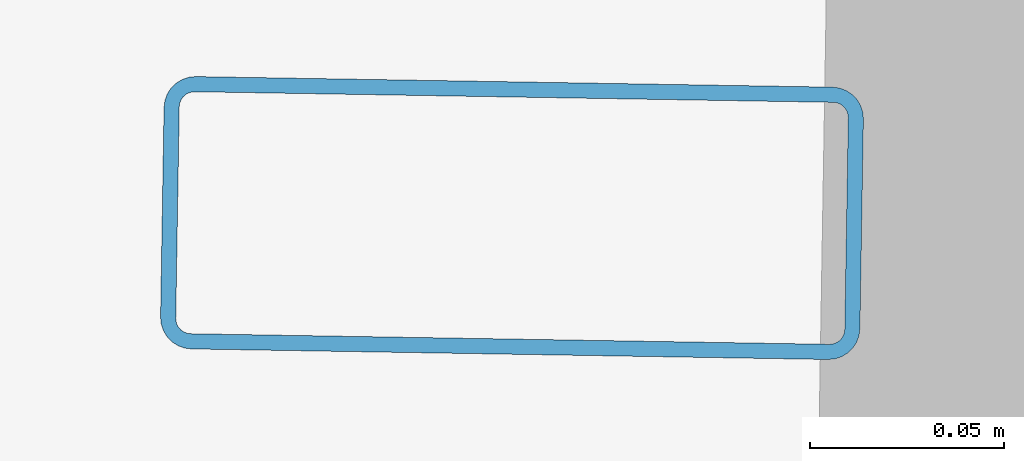
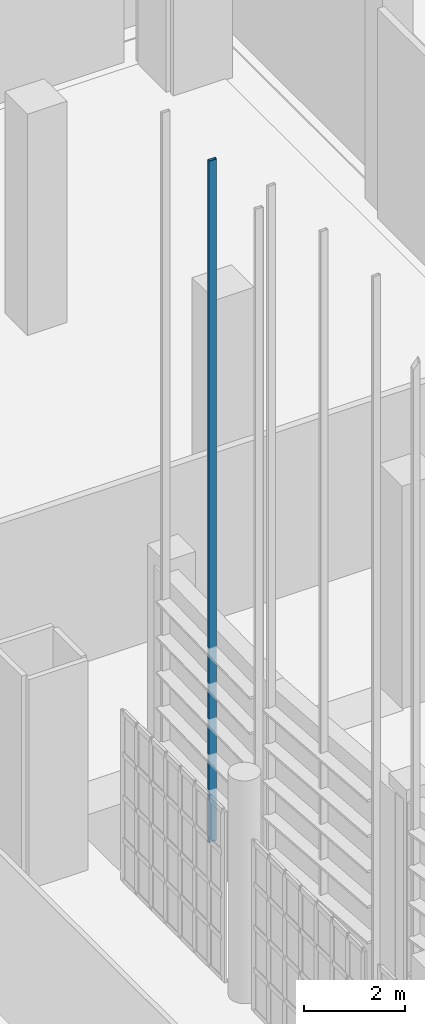
# One storey, part 195 of 372: 1 member.
"""IFC4 building model written with IfcOpenShell, lengths in metres."""

from ifc_helpers import new_model, si_unit, direction, frame, origin, origin_2d, place, context, subcontext, project, spatial, hollow_rectangle, extrude, material, material_profile, profile_set, type_object, element, save


model = new_model("IFC4")

# Units and contexts
model_context = context("Model", 3, precision=1e-05, world=origin(), true_north=direction((0.0, 1.0)))
body_context = subcontext(model_context, "Body", "Model", "MODEL_VIEW")
ifc_project = project(units=[si_unit("LENGTHUNIT", "METRE"), si_unit("AREAUNIT", "SQUARE_METRE"), si_unit("VOLUMEUNIT", "CUBIC_METRE"), si_unit("PLANEANGLEUNIT", "RADIAN"), si_unit("MASSUNIT", "GRAM", prefix="KILO")], contexts=[model_context])

# Site, building, storey
site_placement = place(None, origin())
site = spatial("IfcSite", under=ifc_project, at=site_placement, CompositionType="ELEMENT")
building_placement = place(site_placement, origin())
building = spatial("IfcBuilding", under=site, at=building_placement, Name="Kaelora Sail Theatre", CompositionType="ELEMENT")
storey_placement = place(building_placement, origin())
storey = spatial("IfcBuildingStorey", under=building, at=storey_placement, Name="L00", CompositionType="ELEMENT", Elevation=0.0)

# Member
ifc_material = material(Name="Anodised aluminium 6063-T6", Category="aluminium")
ifc_material_profile = material_profile(ifc_material, hollow_rectangle(XDim=0.070068359375, YDim=0.179931640625, WallThickness=0.00390625, InnerFilletRadius=0.00390625, OuterFilletRadius=0.008056640625, at=origin_2d()), Name="ALU-MULL 70x180x4")
ifc_profile_set = profile_set([ifc_material_profile], Name="Anodised aluminium 6063-T6")
member_type = type_object("IfcMemberType", Name="ARC-MEM-PST-160", PredefinedType="POST", material=ifc_profile_set)
member_placement = place(storey_placement, frame((76.498291015625, 58.507080078125, 0.0), z_axis=(0.0, 0.0, 1.0), x_axis=(0.016579868188, 0.999862544538, 0.0)))
element("IfcMember", 1, at=member_placement, inside=storey, type_object=member_type, Name="Studio Theatre Sail Drum solar louvre vertical support post C20-2", PredefinedType="POST", context=body_context, shape_type="SweptSolid", body=[
    extrude(hollow_rectangle(XDim=0.070068359375, YDim=0.179931640625, WallThickness=0.00390625, InnerFilletRadius=0.00390625, OuterFilletRadius=0.008056640625, at=origin_2d()), origin(), (0.0, 0.0, 1.0), 16.525390625),
])

save(model, "model.ifc")
